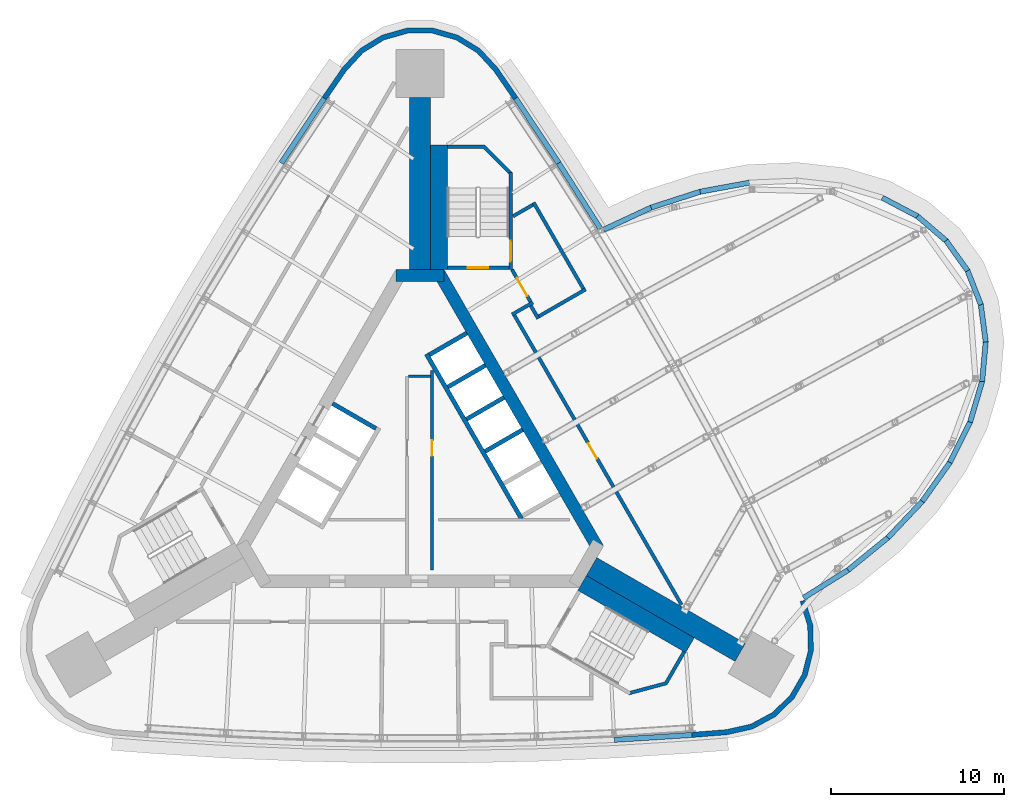
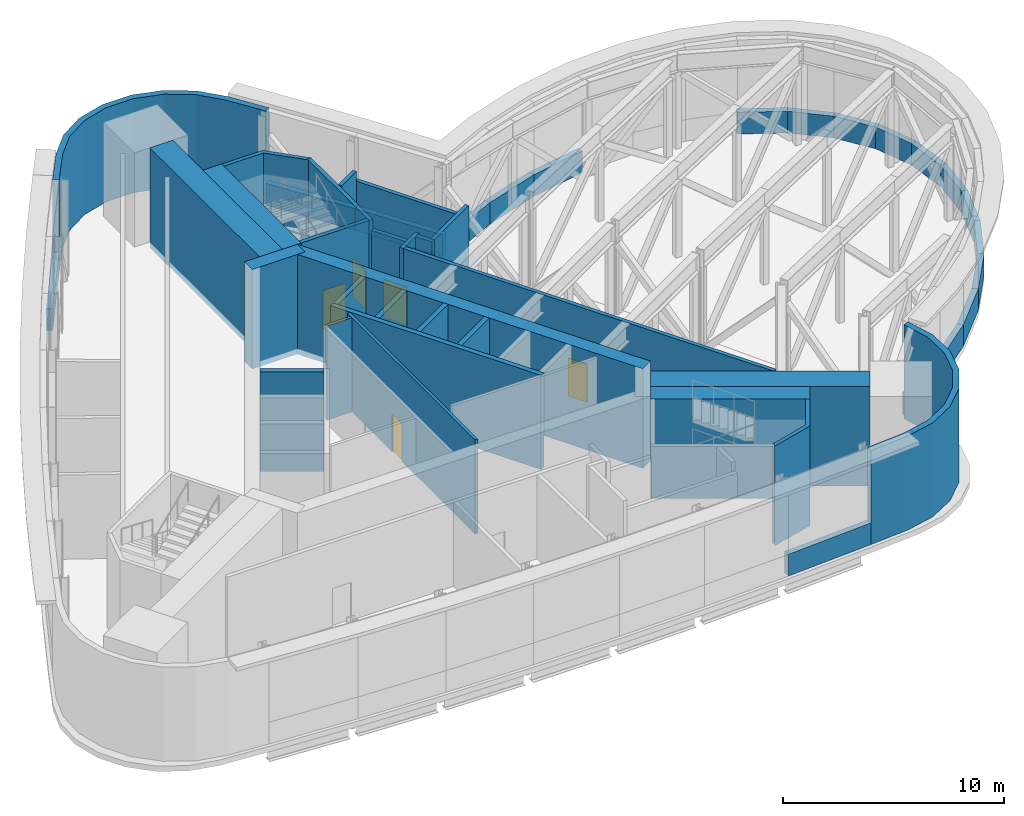
# One storey, part 8 of 11: 46 walls, 5 doors, 5 openings.
"""IFC4 building model written with IfcOpenShell, lengths in metres."""

from ifc_helpers import new_model, si_unit, direction, frame, frame_2d, origin, place, context, subcontext, project, spatial, polyline, rectangle, outline, extrude, material, layer, layer_set, type_object, element, fill, save


model = new_model("IFC4")

# Units and contexts
model_context = context("Model", 3, precision=1e-05, world=origin(), true_north=direction((0.0, 1.0)))
body_context = subcontext(model_context, "Body", "Model", "MODEL_VIEW")
ifc_project = project(units=[si_unit("LENGTHUNIT", "METRE"), si_unit("AREAUNIT", "SQUARE_METRE"), si_unit("VOLUMEUNIT", "CUBIC_METRE"), si_unit("PLANEANGLEUNIT", "RADIAN"), si_unit("MASSUNIT", "GRAM", prefix="KILO")], contexts=[model_context])

# Site, building, storey
site_placement = place(None, origin())
site = spatial("IfcSite", under=ifc_project, at=site_placement, CompositionType="ELEMENT")
building_placement = place(site_placement, origin())
building = spatial("IfcBuilding", under=site, at=building_placement, Name="Noor Cloister Tower", CompositionType="ELEMENT")
storey_placement = place(building_placement, frame((0.0, 0.0, 168.89990234375)))
storey = spatial("IfcBuildingStorey", under=building, at=storey_placement, Name="L43", CompositionType="ELEMENT", Elevation=168.89990234375)

# Walls
ifc_material_1 = material(Name="Concrete C70/85", Category="concrete")
ifc_layer_1 = layer(ifc_material_1, 1.199951171875)
ifc_layer_set_1 = layer_set([ifc_layer_1], Name="Buttress wall 1200 C70/85")
wall_type_1 = type_object("IfcWallType", Name="Buttress wall 1200 C70/85", PredefinedType="SHEAR", material=ifc_layer_set_1)
wall_1_placement = place(storey_placement, frame((0.0, 11.456298828125, -0.2998046875), z_axis=(0.0, 0.0, 1.0), x_axis=(0.0, 1.0, 0.0)))
element("IfcWall", 1, at=wall_1_placement, inside=storey, type_object=wall_type_1, Name="Buttress wall N L43", PredefinedType="SHEAR", context=body_context, shape_type="SweptSolid", body=[
    extrude(rectangle(XDim=9.927734375, YDim=1.199951171875, at=frame_2d((4.9638671875, 0.0))), origin(), (0.0, 0.0, 1.0), 5.5),
])
wall_2_placement = place(storey_placement, frame((9.921630859375, -5.728271484375, -0.2998046875), z_axis=(0.0, 0.0, 1.0), x_axis=(0.866029553954, -0.499992811627, 0.0)))
element("IfcWall", 2, at=wall_2_placement, inside=storey, type_object=wall_type_1, Name="Buttress wall SE L43", PredefinedType="SHEAR", context=body_context, shape_type="SweptSolid", body=[
    extrude(rectangle(XDim=9.927490234375, YDim=1.199951171875, at=frame_2d((4.9638671875, 0.0))), origin(), (0.0, 0.0, 1.0), 5.5),
])
ifc_material_2 = material(Name="Concrete C30/37", Category="concrete")
ifc_layer_2 = layer(ifc_material_2, 0.14990234375)
ifc_layer_set_2 = layer_set([ifc_layer_2], Name="Core partition 150 C30/37")
wall_type_2 = type_object("IfcWallType", Name="Core partition 150 C30/37", PredefinedType="PARTITIONING", material=ifc_layer_set_2)
wall_3_placement = place(storey_placement, frame((-0.6787109375, 5.271728515625, 0.0), z_axis=(0.0, 0.0, 1.0), x_axis=(1.0, 0.0, 0.0)))
element("IfcWall", 3, at=wall_3_placement, inside=storey, type_object=wall_type_2, Name="Core room partition L43 3", PredefinedType="PARTITIONING", context=body_context, shape_type="SweptSolid", body=[
    extrude(rectangle(XDim=1.300048828125, YDim=0.14990234375, at=frame_2d((0.64990234375, 0.0))), origin(), (0.0, 0.0, 1.0), 5.2001953125),
])

# Wall, opening, door
wall_4_placement = place(storey_placement, frame((0.6962890625, -5.92822265625, 0.0), z_axis=(0.0, 0.0, 1.0), x_axis=(0.0, 1.0, 0.0)))
wall_4 = element("IfcWall", 4, at=wall_4_placement, inside=storey, type_object=wall_type_2, Name="Core room partition L43 4", PredefinedType="PARTITIONING", context=body_context, shape_type="SweptSolid", body=[
    extrude(rectangle(XDim=11.548583984375, YDim=0.14990234375, at=frame_2d((5.7744140625, 0.0))), origin(), (0.0, 0.0, 1.0), 5.2001953125),
])
opening_1_placement = place(wall_4_placement, frame((6.60009765625, 0.0, 0.0)))
opening_1 = element("IfcOpeningElement", 5, at=opening_1_placement, cuts=wall_4, Name="Opening L43-905", PredefinedType="OPENING", context=body_context, shape_type="SweptSolid", body=[
    extrude(rectangle(XDim=0.89990234375, YDim=2.10009765625, at=frame_2d((0.449951171875, 1.050048828125))), frame((0.0, 0.0849609375, 0.0), z_axis=(0.0, -1.0, 0.0), x_axis=(1.0, 0.0, 0.0)), (0.0, 0.0, 1.0), 0.169921875),
])
ifc_material_3 = material(Name="Steel", Category="steel")
door_type_1 = type_object("IfcDoorType", Name="Core door 900 x 2100 FD120", OperationType="SINGLE_SWING_LEFT", PredefinedType="DOOR", material=ifc_material_3)
door_1_placement = place(opening_1_placement, origin())
door_1 = element("IfcDoor", 6, at=door_1_placement, inside=storey, type_object=door_type_1, Name="Core door 5 L43", OperationType="SINGLE_SWING_LEFT", OverallHeight=2.10009765625, OverallWidth=0.89990234375, PredefinedType="DOOR", context=body_context, shape_type="SweptSolid", body=[
    extrude(rectangle(XDim=0.89990234375, YDim=2.10009765625, at=frame_2d((0.449951171875, 1.050048828125))), frame((0.0, 0.02490234375, 0.0), z_axis=(0.0, -1.0, 0.0), x_axis=(1.0, 0.0, 0.0)), (0.0, 0.0, 1.0), 0.050048828125),
])
fill(opening_1, door_1)

# Walls
ifc_material_4 = material(Name="Concrete C70/85", Category="concrete")
ifc_layer_3 = layer(ifc_material_4, 0.699951171875)
ifc_layer_set_3 = layer_set([ifc_layer_3], Name="Core wall 700 C70/85")
wall_type_3 = type_object("IfcWallType", Name="Core wall 700 C70/85", PredefinedType="SHEAR", material=ifc_layer_set_3)
wall_5_placement = place(storey_placement, frame((10.311279296875, -4.703125, -0.2998046875), z_axis=(0.0, 0.0, 1.0), x_axis=(-0.500001446645, 0.866024568562, 0.0)))
element("IfcWall", 7, at=wall_5_placement, inside=storey, type_object=wall_type_3, Name="Core wall L43 3", PredefinedType="SHEAR", context=body_context, shape_type="SweptSolid", body=[
    extrude(rectangle(XDim=18.45751953125, YDim=0.699951171875, at=frame_2d((9.228759765625, 0.0))), origin(), (0.0, 0.0, 1.0), 5.5),
])
wall_6_placement = place(storey_placement, frame((1.3857421875, 11.1064453125, -0.2998046875), z_axis=(0.0, 0.0, 1.0), x_axis=(-1.0, 0.0, 0.0)))
element("IfcWall", 8, at=wall_6_placement, inside=storey, type_object=wall_type_3, Name="Core wall L43 4", PredefinedType="SHEAR", context=body_context, shape_type="SweptSolid", body=[
    extrude(rectangle(XDim=2.771484375, YDim=0.699951171875, at=frame_2d((1.3857421875, 0.0))), origin(), (0.0, 0.0, 1.0), 5.5),
])
ifc_material_5 = material(Name="Limestone", Category="masonry")
ifc_layer_4 = layer(ifc_material_5, 0.300048828125)
ifc_layer_set_4 = layer_set([ifc_layer_4], Name="Limestone cladding 300")
wall_type_4 = type_object("IfcWallType", Name="Limestone cladding 300", PredefinedType="NOTDEFINED", material=ifc_layer_set_4)
wall_7_placement = place(storey_placement, origin())
element("IfcWall", 9, at=wall_7_placement, inside=storey, type_object=wall_type_4, Name="Limestone pier cladding L43 2.1", PredefinedType="NOTDEFINED", context=body_context, shape_type="SweptSolid", body=[
    extrude(outline(polyline([(15.735595703125, -15.611572265625), (17.76806640625, -15.450927734375), (19.234130859375, -15.120849609375), (20.55517578125, -14.405029296875), (21.632080078125, -13.35693359375), (22.38330078125, -12.055419921875), (22.752685546875, -10.598876953125), (22.712158203125, -9.096923828125), (22.264892578125, -7.662353515625), (21.978515625, -7.75146484375), (22.413330078125, -9.146484375), (22.45166015625, -10.5654296875), (22.102783203125, -11.94140625), (21.39306640625, -13.1708984375), (20.375732421875, -14.160888671875), (19.127685546875, -14.83740234375), (17.72314453125, -15.153564453125), (15.7119140625, -15.3125), (15.735595703125, -15.611572265625)])), origin(), (0.0, 0.0, 1.0), 5.2001953125),
])
wall_8_placement = place(storey_placement, origin())
element("IfcWall", 10, at=wall_8_placement, inside=storey, type_object=wall_type_4, Name="Limestone pier cladding L43 3.1", PredefinedType="NOTDEFINED", context=body_context, shape_type="SweptSolid", body=[
    extrude(outline(polyline([(5.65234375, 21.43310546875), (4.496826171875, 23.113037109375), (3.47802734375, 24.2177734375), (2.197509765625, 25.00390625), (0.751220703125, 25.412353515625), (-0.751220703125, 25.412353515625), (-2.197509765625, 25.00390625), (-3.47802734375, 24.2177734375), (-4.496826171875, 23.113037109375), (-5.65234375, 21.43310546875), (-5.405029296875, 21.26318359375), (-4.26171875, 22.925537109375), (-3.28564453125, 23.98388671875), (-2.075927734375, 24.7265625), (-0.709716796875, 25.1123046875), (0.709716796875, 25.1123046875), (2.075927734375, 24.7265625), (3.28564453125, 23.98388671875), (4.26171875, 22.925537109375), (5.405029296875, 21.26318359375), (5.65234375, 21.43310546875)])), origin(), (0.0, 0.0, 1.0), 5.2001953125),
])
ifc_material_6 = material(Name="Limestone", Category="masonry")
ifc_layer_5 = layer(ifc_material_6, 0.300048828125)
ifc_layer_set_5 = layer_set([ifc_layer_5], Name="Limestone panel wall 300")
wall_type_5 = type_object("IfcWallType", Name="Limestone panel wall 300", PredefinedType="NOTDEFINED", material=ifc_layer_set_5)
wall_9_placement = place(storey_placement, origin())
element("IfcWall", 11, at=wall_9_placement, inside=storey, type_object=wall_type_5, Name="Limestone panel wall L43 1.1", PredefinedType="NOTDEFINED", context=body_context, shape_type="SweptSolid", body=[
    extrude(outline(polyline([(-5.65234375, 21.43310546875), (-8.145263671875, 17.68701171875), (-7.8955078125, 17.520751953125), (-5.402587890625, 21.26708984375), (-5.65234375, 21.43310546875)])), origin(), (0.0, 0.0, 1.0), 1.2001953125),
])
wall_10_placement = place(storey_placement, origin())
element("IfcWall", 12, at=wall_10_placement, inside=storey, type_object=wall_type_5, Name="Limestone panel wall L43 2.7", PredefinedType="NOTDEFINED", context=body_context, shape_type="SweptSolid", body=[
    extrude(outline(polyline([(11.24462890625, -15.8974609375), (15.735595703125, -15.611572265625), (15.716552734375, -15.312255859375), (11.2255859375, -15.597900390625), (11.24462890625, -15.8974609375)])), origin(), (0.0, 0.0, 1.0), 1.2001953125),
])
wall_11_placement = place(storey_placement, origin())
element("IfcWall", 13, at=wall_11_placement, inside=storey, type_object=wall_type_5, Name="Limestone panel wall L43 3.1", PredefinedType="NOTDEFINED", context=body_context, shape_type="SweptSolid", body=[
    extrude(outline(polyline([(22.264892578125, -7.662353515625), (24.84619140625, -6.048095703125), (24.687255859375, -5.793701171875), (22.10595703125, -7.407958984375), (22.264892578125, -7.662353515625)])), origin(), (0.0, 0.0, 1.0), 1.2001953125),
])
wall_12_placement = place(storey_placement, origin())
element("IfcWall", 14, at=wall_12_placement, inside=storey, type_object=wall_type_5, Name="Limestone panel wall L43 3.2", PredefinedType="NOTDEFINED", context=body_context, shape_type="SweptSolid", body=[
    extrude(outline(polyline([(24.84619140625, -6.048095703125), (27.17138671875, -4.155517578125), (26.98193359375, -3.9228515625), (24.656982421875, -5.8154296875), (24.84619140625, -6.048095703125)])), origin(), (0.0, 0.0, 1.0), 1.2001953125),
])
wall_13_placement = place(storey_placement, origin())
element("IfcWall", 15, at=wall_13_placement, inside=storey, type_object=wall_type_5, Name="Limestone panel wall L43 3.3", PredefinedType="NOTDEFINED", context=body_context, shape_type="SweptSolid", body=[
    extrude(outline(polyline([(27.17138671875, -4.155517578125), (29.16943359375, -2.0419921875), (28.951416015625, -1.8359375), (26.953369140625, -3.94921875), (27.17138671875, -4.155517578125)])), origin(), (0.0, 0.0, 1.0), 1.2001953125),
])
wall_14_placement = place(storey_placement, origin())
element("IfcWall", 16, at=wall_14_placement, inside=storey, type_object=wall_type_5, Name="Limestone panel wall L43 3.4", PredefinedType="NOTDEFINED", context=body_context, shape_type="SweptSolid", body=[
    extrude(outline(polyline([(29.16943359375, -2.0419921875), (30.780029296875, 0.22802734375), (30.535400390625, 0.401611328125), (28.9248046875, -1.868408203125), (29.16943359375, -2.0419921875)])), origin(), (0.0, 0.0, 1.0), 1.2001953125),
])
wall_15_placement = place(storey_placement, origin())
element("IfcWall", 17, at=wall_15_placement, inside=storey, type_object=wall_type_5, Name="Limestone panel wall L43 3.5", PredefinedType="NOTDEFINED", context=body_context, shape_type="SweptSolid", body=[
    extrude(outline(polyline([(30.780029296875, 0.22802734375), (31.953857421875, 2.5859375), (31.685302734375, 2.7197265625), (30.511474609375, 0.36181640625), (30.780029296875, 0.22802734375)])), origin(), (0.0, 0.0, 1.0), 1.2001953125),
])
wall_16_placement = place(storey_placement, origin())
element("IfcWall", 18, at=wall_16_placement, inside=storey, type_object=wall_type_5, Name="Limestone panel wall L43 3.6", PredefinedType="NOTDEFINED", context=body_context, shape_type="SweptSolid", body=[
    extrude(outline(polyline([(31.953857421875, 2.5859375), (32.65576171875, 4.959716796875), (32.367919921875, 5.044677734375), (31.666259765625, 2.6708984375), (31.953857421875, 2.5859375)])), origin(), (0.0, 0.0, 1.0), 1.2001953125),
])
wall_17_placement = place(storey_placement, origin())
element("IfcWall", 19, at=wall_17_placement, inside=storey, type_object=wall_type_5, Name="Limestone panel wall L43 3.7", PredefinedType="NOTDEFINED", context=body_context, shape_type="SweptSolid", body=[
    extrude(outline(polyline([(32.65576171875, 4.959716796875), (32.86376953125, 7.27734375), (32.56494140625, 7.30419921875), (32.35693359375, 4.986572265625), (32.65576171875, 4.959716796875)])), origin(), (0.0, 0.0, 1.0), 1.2001953125),
])
wall_18_placement = place(storey_placement, origin())
element("IfcWall", 20, at=wall_18_placement, inside=storey, type_object=wall_type_5, Name="Limestone panel wall L43 3.8", PredefinedType="NOTDEFINED", context=body_context, shape_type="SweptSolid", body=[
    extrude(outline(polyline([(32.86376953125, 7.27734375), (32.572021484375, 9.468505859375), (32.274658203125, 9.428955078125), (32.56640625, 7.23779296875), (32.86376953125, 7.27734375)])), origin(), (0.0, 0.0, 1.0), 1.2001953125),
])
wall_19_placement = place(storey_placement, origin())
element("IfcWall", 21, at=wall_19_placement, inside=storey, type_object=wall_type_5, Name="Limestone panel wall L43 3.9", PredefinedType="NOTDEFINED", context=body_context, shape_type="SweptSolid", body=[
    extrude(outline(polyline([(32.572021484375, 9.468505859375), (31.7890625, 11.466552734375), (31.509765625, 11.357177734375), (32.292724609375, 9.359130859375), (32.572021484375, 9.468505859375)])), origin(), (0.0, 0.0, 1.0), 1.2001953125),
])
wall_20_placement = place(storey_placement, origin())
element("IfcWall", 22, at=wall_20_placement, inside=storey, type_object=wall_type_5, Name="Limestone panel wall L43 3.10", PredefinedType="NOTDEFINED", context=body_context, shape_type="SweptSolid", body=[
    extrude(outline(polyline([(31.7890625, 11.466552734375), (30.5390625, 13.210693359375), (30.295166015625, 13.0361328125), (31.54541015625, 11.291748046875), (31.7890625, 11.466552734375)])), origin(), (0.0, 0.0, 1.0), 1.2001953125),
])
wall_21_placement = place(storey_placement, origin())
element("IfcWall", 23, at=wall_21_placement, inside=storey, type_object=wall_type_5, Name="Limestone panel wall L43 3.11", PredefinedType="NOTDEFINED", context=body_context, shape_type="SweptSolid", body=[
    extrude(outline(polyline([(30.5390625, 13.210693359375), (28.85986328125, 14.648193359375), (28.664794921875, 14.42041015625), (30.343994140625, 12.98291015625), (30.5390625, 13.210693359375)])), origin(), (0.0, 0.0, 1.0), 1.2001953125),
])
wall_22_placement = place(storey_placement, origin())
element("IfcWall", 24, at=wall_22_placement, inside=storey, type_object=wall_type_5, Name="Limestone panel wall L43 3.12", PredefinedType="NOTDEFINED", context=body_context, shape_type="SweptSolid", body=[
    extrude(outline(polyline([(28.85986328125, 14.648193359375), (26.80224609375, 15.735107421875), (26.662109375, 15.469970703125), (28.7197265625, 14.383056640625), (28.85986328125, 14.648193359375)])), origin(), (0.0, 0.0, 1.0), 1.2001953125),
])
wall_23_placement = place(storey_placement, origin())
element("IfcWall", 25, at=wall_23_placement, inside=storey, type_object=wall_type_5, Name="Limestone panel wall L43 3.16", PredefinedType="NOTDEFINED", context=body_context, shape_type="SweptSolid", body=[
    extrude(outline(polyline([(19.03125, 16.62158203125), (16.170654296875, 16.095947265625), (16.224853515625, 15.80078125), (19.08544921875, 16.32666015625), (19.03125, 16.62158203125)])), origin(), (0.0, 0.0, 1.0), 1.2001953125),
])
wall_24_placement = place(storey_placement, origin())
element("IfcWall", 26, at=wall_24_placement, inside=storey, type_object=wall_type_5, Name="Limestone panel wall L43 3.17", PredefinedType="NOTDEFINED", context=body_context, shape_type="SweptSolid", body=[
    extrude(outline(polyline([(16.170654296875, 16.095947265625), (13.3173828125, 15.175537109375), (13.409423828125, 14.889892578125), (16.2626953125, 15.810302734375), (16.170654296875, 16.095947265625)])), origin(), (0.0, 0.0, 1.0), 1.2001953125),
])
wall_25_placement = place(storey_placement, origin())
element("IfcWall", 27, at=wall_25_placement, inside=storey, type_object=wall_type_5, Name="Limestone panel wall L43 3.18", PredefinedType="NOTDEFINED", context=body_context, shape_type="SweptSolid", body=[
    extrude(outline(polyline([(13.3173828125, 15.175537109375), (10.55810546875, 13.888671875), (10.68505859375, 13.61669921875), (13.444091796875, 14.903564453125), (13.3173828125, 15.175537109375)])), origin(), (0.0, 0.0, 1.0), 1.2001953125),
])
wall_26_placement = place(storey_placement, origin())
element("IfcWall", 28, at=wall_26_placement, inside=storey, type_object=wall_type_5, Name="Limestone panel wall L43 4.1", PredefinedType="NOTDEFINED", context=body_context, shape_type="SweptSolid", body=[
    extrude(outline(polyline([(10.55810546875, 13.888671875), (8.145263671875, 17.68701171875), (7.891845703125, 17.526123046875), (10.304931640625, 13.727783203125), (10.55810546875, 13.888671875)])), origin(), (0.0, 0.0, 1.0), 1.2001953125),
])
wall_27_placement = place(storey_placement, origin())
element("IfcWall", 29, at=wall_27_placement, inside=storey, type_object=wall_type_5, Name="Limestone panel wall L43 4.2", PredefinedType="NOTDEFINED", context=body_context, shape_type="SweptSolid", body=[
    extrude(outline(polyline([(8.145263671875, 17.68701171875), (5.65234375, 21.43310546875), (5.402587890625, 21.26708984375), (7.8955078125, 17.520751953125), (8.145263671875, 17.68701171875)])), origin(), (0.0, 0.0, 1.0), 1.2001953125),
])
ifc_material_7 = material(Name="Concrete C70/85", Category="concrete")
ifc_layer_6 = layer(ifc_material_7, 0.25)
ifc_layer_set_6 = layer_set([ifc_layer_6], Name="Shaft wall 250 C70/85")
wall_type_6 = type_object("IfcWallType", Name="Shaft wall 250 C70/85", PredefinedType="PARTITIONING", material=ifc_layer_set_6)
wall_28_placement = place(storey_placement, frame((5.931396484375, 2.18310546875, -0.2998046875), z_axis=(0.0, 0.0, 1.0), x_axis=(-0.866047370643, -0.499961950354, 0.0)))
element("IfcWall", 30, at=wall_28_placement, inside=storey, type_object=wall_type_6, Name="Lift shaft wall L43 NE 3", PredefinedType="PARTITIONING", context=body_context, shape_type="SweptSolid", body=[
    extrude(rectangle(XDim=2.500244140625, YDim=0.25, at=frame_2d((1.25, 0.0))), origin(), (0.0, 0.0, 1.0), 5.5),
])
for number, where, z_axis, x_axis, name in (
    (31, (4.856201171875, 4.045166015625, -0.2998046875), (0.0, 0.0, 1.0), (-0.866022959057, -0.500004234368, 0.0), "Lift shaft wall L43 NE 4"),
    (32, (3.78125, 5.906982421875, -0.2998046875), (0.0, 0.0, 1.0), (-0.866022959057, -0.500004234368, 0.0), "Lift shaft wall L43 NE 5"),
    (33, (2.706298828125, 7.76904296875, -0.2998046875), (0.0, 0.0, 1.0), (-0.866022959057, -0.500004234368, 0.0), "Lift shaft wall L43 NE 6"),
):
    element("IfcWall", number, at=place(storey_placement, frame(where, z_axis=z_axis, x_axis=x_axis)), inside=storey, type_object=wall_type_6, Name=name, PredefinedType="PARTITIONING", context=body_context, shape_type="SweptSolid", body=[
        extrude(rectangle(XDim=2.5, YDim=0.25, at=frame_2d((1.25, 0.0))), origin(), (0.0, 0.0, 1.0), 5.5),
    ])
wall_29_placement = place(storey_placement, frame((5.870361328125, -2.96142578125, 0.0), z_axis=(0.0, 0.0, 1.0), x_axis=(-0.50000615651, 0.866021849293, 0.0)))
element("IfcWall", 34, at=wall_29_placement, inside=storey, type_object=wall_type_6, Name="Lift shaft back wall L43 NE", PredefinedType="PARTITIONING", context=body_context, shape_type="SweptSolid", body=[
    extrude(rectangle(XDim=10.999755859375, YDim=0.25, at=frame_2d((5.5, 0.0))), origin(), (0.0, 0.0, 1.0), 5.2001953125),
])
wall_30_placement = place(storey_placement, frame((-5.056396484375, 3.69873046875, -0.2998046875), z_axis=(0.0, 0.0, 1.0), x_axis=(0.866032775405, -0.499987231761, 0.0)))
element("IfcWall", 35, at=wall_30_placement, inside=storey, type_object=wall_type_6, Name="Lift shaft wall L43 NW 3", PredefinedType="PARTITIONING", context=body_context, shape_type="SweptSolid", body=[
    extrude(rectangle(XDim=2.89990234375, YDim=0.25, at=frame_2d((1.449951171875, 0.0))), origin(), (0.0, 0.0, 1.0), 5.5),
])

# Wall, opening, door
ifc_material_8 = material(Name="Concrete C70/85", Category="concrete")
ifc_layer_7 = layer(ifc_material_8, 0.199951171875)
ifc_layer_set_7 = layer_set([ifc_layer_7], Name="Stair enclosure wall 200 C70/85")
wall_type_7 = type_object("IfcWallType", Name="Stair enclosure wall 200 C70/85", PredefinedType="SHEAR", material=ifc_layer_set_7)
wall_31_placement = place(storey_placement, frame((5.135498046875, 11.556396484375, -0.2998046875), z_axis=(0.0, 0.0, 1.0), x_axis=(-1.0, 0.0, 0.0)))
wall_31 = element("IfcWall", 36, at=wall_31_placement, inside=storey, type_object=wall_type_7, Name="Stair enclosure wall ST1 L43 near end", PredefinedType="SHEAR", context=body_context, shape_type="SweptSolid", body=[
    extrude(rectangle(XDim=3.5498046875, YDim=0.199951171875, at=frame_2d((1.77490234375, 0.0))), origin(), (0.0, 0.0, 1.0), 5.5),
])
opening_2_placement = place(wall_31_placement, frame((1.175048828125, 0.0, 0.300048828125)))
opening_2 = element("IfcOpeningElement", 37, at=opening_2_placement, cuts=wall_31, Name="Opening L43-ST1L", PredefinedType="OPENING", context=body_context, shape_type="SweptSolid", body=[
    extrude(rectangle(XDim=1.199951171875, YDim=2.10009765625, at=frame_2d((0.60009765625, 1.050048828125))), frame((0.0, 0.10986328125, 0.0), z_axis=(0.0, -1.0, 0.0), x_axis=(1.0, 0.0, 0.0)), (0.0, 0.0, 1.0), 0.219970703125),
])
ifc_material_9 = material(Name="Steel", Category="steel")
door_type_2 = type_object("IfcDoorType", Name="Stair door 1200 x 2100 FD120", OperationType="SINGLE_SWING_LEFT", PredefinedType="DOOR", material=ifc_material_9)
door_2_placement = place(opening_2_placement, origin())
door_2 = element("IfcDoor", 38, at=door_2_placement, inside=storey, type_object=door_type_2, Name="Stair door ST1 L43", OperationType="SINGLE_SWING_RIGHT", OverallHeight=2.10009765625, OverallWidth=1.199951171875, PredefinedType="DOOR", context=body_context, shape_type="SweptSolid", body=[
    extrude(rectangle(XDim=1.199951171875, YDim=2.10009765625, at=frame_2d((0.60009765625, 1.050048828125))), frame((0.0, 0.02490234375, 0.0), z_axis=(0.0, -1.0, 0.0), x_axis=(1.0, 0.0, 0.0)), (0.0, 0.0, 1.0), 0.050048828125),
])
fill(opening_2, door_2)

wall_32_placement = place(storey_placement, frame((5.235595703125, 11.456298828125, -0.2998046875), z_axis=(0.0, 0.0, 1.0), x_axis=(0.0, 1.0, 0.0)))
wall_32 = element("IfcWall", 39, at=wall_32_placement, inside=storey, type_object=wall_type_7, Name="Stair enclosure wall ST1 L43 outer side", PredefinedType="SHEAR", context=body_context, shape_type="SweptSolid", body=[
    extrude(rectangle(XDim=5.60009765625, YDim=0.199951171875, at=frame_2d((2.800048828125, 0.0))), origin(), (0.0, 0.0, 1.0), 5.5),
])
opening_3_placement = place(wall_32_placement, frame((0.449951171875, 0.0, 0.300048828125)))
opening_3 = element("IfcOpeningElement", 40, at=opening_3_placement, cuts=wall_32, Name="Opening L43-ST1C", PredefinedType="OPENING", context=body_context, shape_type="SweptSolid", body=[
    extrude(rectangle(XDim=1.199951171875, YDim=2.10009765625, at=frame_2d((0.60009765625, 1.050048828125))), frame((0.0, 0.10986328125, 0.0), z_axis=(0.0, -1.0, 0.0), x_axis=(1.0, 0.0, 0.0)), (0.0, 0.0, 1.0), 0.219970703125),
])
door_3_placement = place(opening_3_placement, origin())
door_3 = element("IfcDoor", 41, at=door_3_placement, inside=storey, type_object=door_type_2, Name="Stair door ST1 L43", OperationType="SINGLE_SWING_LEFT", OverallHeight=2.10009765625, OverallWidth=1.199951171875, PredefinedType="DOOR", context=body_context, shape_type="SweptSolid", body=[
    extrude(rectangle(XDim=1.199951171875, YDim=2.10009765625, at=frame_2d((0.60009765625, 1.050048828125))), frame((0.0, 0.02490234375, 0.0), z_axis=(0.0, -1.0, 0.0), x_axis=(1.0, 0.0, 0.0)), (0.0, 0.0, 1.0), 0.050048828125),
])
fill(opening_3, door_3)

# Walls
ifc_material_10 = material(Name="Concrete C70/85", Category="concrete")
ifc_layer_8 = layer(ifc_material_10, 0.986083984375)
ifc_layer_set_8 = layer_set([ifc_layer_8], Name="Stair enclosure wall 986 C70/85")
wall_type_8 = type_object("IfcWallType", Name="Stair enclosure wall 986 C70/85", PredefinedType="SHEAR", material=ifc_layer_set_8)
for number, where, z_axis, x_axis, name in (
    (42, (1.0927734375, 11.456298828125, -0.2998046875), (0.0, 0.0, 1.0), (0.0, 1.0, 0.0), "Stair enclosure wall ST1 L43 riser side"),
    (43, (9.375, -6.674560546875, -0.2998046875), (0.0, 0.0, 1.0), (0.866026919366, -0.499997374926, 0.0), "Stair enclosure wall ST3 L43 riser side"),
):
    element("IfcWall", number, at=place(storey_placement, frame(where, z_axis=z_axis, x_axis=x_axis)), inside=storey, type_object=wall_type_8, Name=name, PredefinedType="SHEAR", context=body_context, shape_type="SweptSolid", body=[
        extrude(rectangle(XDim=7.2001953125, YDim=0.985595703125, at=frame_2d((3.60009765625, 0.0))), origin(), (0.0, 0.0, 1.0), 5.5),
    ])
ifc_material_11 = material(Name="Concrete C70/85", Category="concrete")
wall_type_9 = type_object("IfcWallType", Name="Stair far end wall C70/85", PredefinedType="SHEAR", material=ifc_material_11)
wall_33_placement = place(storey_placement, frame((0.0, 0.0, -0.2998046875)))
element("IfcWall", 44, at=wall_33_placement, inside=storey, type_object=wall_type_9, Name="Stair enclosure wall ST1 L43 far end", PredefinedType="SHEAR", context=body_context, shape_type="SweptSolid", body=[
    extrude(outline(polyline([(5.335693359375, 17.056396484375), (3.735595703125, 18.656494140625), (1.585693359375, 18.656494140625), (1.585693359375, 18.456298828125), (3.65283203125, 18.456298828125), (5.135498046875, 16.9736328125), (5.135498046875, 17.056396484375), (5.135498046875, 17.056396484375), (5.135498046875, 17.056396484375), (5.135498046875, 17.056396484375), (5.135498046875, 17.056396484375), (5.135498046875, 17.056396484375), (5.135498046875, 17.056396484375), (5.135498046875, 17.056396484375), (5.135498046875, 17.056396484375), (5.135498046875, 17.056396484375), (5.135498046875, 17.056396484375), (5.135498046875, 17.056396484375), (5.135498046875, 17.056396484375), (5.135498046875, 17.056396484375), (5.135498046875, 17.056396484375), (5.135498046875, 17.056396484375), (5.135498046875, 17.056396484375), (5.335693359375, 17.056396484375)])), origin(), (0.0, 0.0, 1.0), 5.5),
])
wall_34_placement = place(storey_placement, frame((0.0, 0.0, -0.2998046875)))
element("IfcWall", 45, at=wall_34_placement, inside=storey, type_object=wall_type_9, Name="Stair enclosure wall ST3 L43 far end", PredefinedType="SHEAR", context=body_context, shape_type="SweptSolid", body=[
    extrude(outline(polyline([(12.103515625, -13.14892578125), (14.2890625, -12.5634765625), (15.364013671875, -10.701416015625), (15.19091796875, -10.601318359375), (14.1572265625, -12.3916015625), (12.131591796875, -12.934326171875), (12.20361328125, -12.975830078125), (12.20361328125, -12.975830078125), (12.20361328125, -12.975830078125), (12.20361328125, -12.975830078125), (12.20361328125, -12.975830078125), (12.20361328125, -12.975830078125), (12.20361328125, -12.975830078125), (12.20361328125, -12.975830078125), (12.20361328125, -12.975830078125), (12.20361328125, -12.975830078125), (12.20361328125, -12.975830078125), (12.20361328125, -12.975830078125), (12.20361328125, -12.975830078125), (12.20361328125, -12.975830078125), (12.20361328125, -12.975830078125), (12.20361328125, -12.975830078125), (12.20361328125, -12.975830078125), (12.103515625, -13.14892578125)])), origin(), (0.0, 0.0, 1.0), 5.5),
])
ifc_material_12 = material(Name="Concrete block wall, 200 mm", Category="concrete")
ifc_layer_9 = layer(ifc_material_12, 0.199951171875)
ifc_layer_set_9 = layer_set([ifc_layer_9], Name="Upper floor plant room wall 200")
wall_type_10 = type_object("IfcWallType", Name="Upper floor plant room wall 200", PredefinedType="PARTITIONING", material=ifc_layer_set_9)
wall_35_placement = place(storey_placement, frame((6.407958984375, 9.357666015625, 0.0), z_axis=(0.0, 0.0, 1.0), x_axis=(0.49996696679, -0.866044474677, 0.0)))
element("IfcWall", 46, at=wall_35_placement, inside=storey, type_object=wall_type_10, Name="Upper floor plant room wall 200 L43 015", PredefinedType="PARTITIONING", context=body_context, shape_type="SweptSolid", body=[
    extrude(rectangle(XDim=0.8642578125, YDim=0.199951171875, at=frame_2d((0.43212890625, 0.0))), origin(), (0.0, 0.0, 1.0), 5.2001953125),
])
wall_36_placement = place(storey_placement, frame((5.3203125, 8.84521484375, 0.0), z_axis=(0.0, 0.0, 1.0), x_axis=(0.866031452229, 0.49998952364, 0.0)))
element("IfcWall", 47, at=wall_36_placement, inside=storey, type_object=wall_type_10, Name="Upper floor plant room wall 200 L43 016", PredefinedType="PARTITIONING", context=body_context, shape_type="SweptSolid", body=[
    extrude(rectangle(XDim=1.39794921875, YDim=0.199951171875, at=frame_2d((0.698974609375, 0.0))), origin(), (0.0, 0.0, 1.0), 5.2001953125),
])

# Wall, opening, door
wall_37_placement = place(storey_placement, frame((6.39453125, 9.580810546875, 0.0), z_axis=(0.0, 0.0, 1.0), x_axis=(-0.500003735859, 0.866023246874, 0.0)))
wall_37 = element("IfcWall", 48, at=wall_37_placement, inside=storey, type_object=wall_type_10, Name="Upper floor plant room wall 200 L43 017", PredefinedType="PARTITIONING", context=body_context, shape_type="SweptSolid", body=[
    extrude(rectangle(XDim=2.15380859375, YDim=0.199951171875, at=frame_2d((1.076904296875, 0.0))), origin(), (0.0, 0.0, 1.0), 4.647216796875),
])
opening_4_placement = place(wall_37_placement, frame((0.383056640625, 0.0, 0.0)))
opening_4 = element("IfcOpeningElement", 49, at=opening_4_placement, cuts=wall_37, Name="Opening L43-011", PredefinedType="OPENING", context=body_context, shape_type="SweptSolid", body=[
    extrude(rectangle(XDim=1.199951171875, YDim=2.10009765625, at=frame_2d((0.60009765625, 1.050048828125))), frame((0.0, 0.10986328125, 0.0), z_axis=(0.0, -1.0, 0.0), x_axis=(1.0, 0.0, 0.0)), (0.0, 0.0, 1.0), 0.219970703125),
])
ifc_material_13 = material(Name="Timber door leaf with steel frame", Category="steel")
door_type_3 = type_object("IfcDoorType", Name="Protected lobby door 1200", OperationType="NOTDEFINED", PredefinedType="DOOR", material=ifc_material_13)
door_4_placement = place(opening_4_placement, origin())
door_4 = element("IfcDoor", 50, at=door_4_placement, inside=storey, type_object=door_type_3, Name="Protected lobby door 1200 L43-011", OperationType="SINGLE_SWING_LEFT", OverallHeight=2.10009765625, OverallWidth=1.199951171875, PredefinedType="DOOR", context=body_context, shape_type="SweptSolid", body=[
    extrude(rectangle(XDim=1.199951171875, YDim=2.10009765625, at=frame_2d((0.60009765625, 1.050048828125))), frame((0.0, 0.02490234375, 0.0), z_axis=(0.0, -1.0, 0.0), x_axis=(1.0, 0.0, 0.0)), (0.0, 0.0, 1.0), 0.050048828125),
])
fill(opening_4, door_4)

wall_38_placement = place(storey_placement, frame((5.455322265625, 8.8076171875, 0.0), z_axis=(0.0, 0.0, 1.0), x_axis=(0.49999276215, -0.866029582519, 0.0)))
wall_38 = element("IfcWall", 51, at=wall_38_placement, inside=storey, type_object=wall_type_10, Name="Upper floor plant room wall 200 L43 018", PredefinedType="PARTITIONING", context=body_context, shape_type="SweptSolid", body=[
    extrude(rectangle(XDim=19.337158203125, YDim=0.199951171875, at=frame_2d((9.66845703125, 0.0))), origin(), (0.0, 0.0, 1.0), 5.2001953125),
])
opening_5_placement = place(wall_38_placement, frame((8.5556640625, 0.0, 0.0)))
opening_5 = element("IfcOpeningElement", 52, at=opening_5_placement, cuts=wall_38, Name="Opening L43-010", PredefinedType="OPENING", context=body_context, shape_type="SweptSolid", body=[
    extrude(rectangle(XDim=1.0, YDim=2.10009765625, at=frame_2d((0.5, 1.050048828125))), frame((0.0, 0.10986328125, 0.0), z_axis=(0.0, -1.0, 0.0), x_axis=(1.0, 0.0, 0.0)), (0.0, 0.0, 1.0), 0.219970703125),
])
ifc_material_14 = material(Name="Timber door leaf with steel frame", Category="steel")
door_type_4 = type_object("IfcDoorType", Name="Plant room door 1000", OperationType="NOTDEFINED", PredefinedType="DOOR", material=ifc_material_14)
door_5_placement = place(opening_5_placement, origin())
door_5 = element("IfcDoor", 53, at=door_5_placement, inside=storey, type_object=door_type_4, Name="Plant room door 1000 L43-010", OperationType="SINGLE_SWING_LEFT", OverallHeight=2.10009765625, OverallWidth=1.0, PredefinedType="DOOR", context=body_context, shape_type="SweptSolid", body=[
    extrude(rectangle(XDim=1.0, YDim=2.10009765625, at=frame_2d((0.5, 1.050048828125))), frame((0.0, 0.02490234375, 0.0), z_axis=(0.0, -1.0, 0.0), x_axis=(1.0, 0.0, 0.0)), (0.0, 0.0, 1.0), 0.050048828125),
])
fill(opening_5, door_5)

# Walls
wall_39_placement = place(storey_placement, frame((6.877685546875, 8.743896484375, 0.0), z_axis=(0.0, 0.0, 1.0), x_axis=(0.866023983177, 0.500002460556, 0.0)))
element("IfcWall", 54, at=wall_39_placement, inside=storey, type_object=wall_type_10, Name="Upper floor plant room wall 200 L43 019", PredefinedType="PARTITIONING", context=body_context, shape_type="SweptSolid", body=[
    extrude(rectangle(XDim=3.11962890625, YDim=0.199951171875, at=frame_2d((1.559814453125, 0.0))), origin(), (0.0, 0.0, 1.0), 5.2001953125),
])
wall_40_placement = place(storey_placement, frame((6.566162109375, 15.326904296875, 0.0), z_axis=(0.0, 0.0, 1.0), x_axis=(0.499997778408, -0.866026686418, 0.0)))
element("IfcWall", 55, at=wall_40_placement, inside=storey, type_object=wall_type_10, Name="Upper floor plant room wall 200 L43 020", PredefinedType="PARTITIONING", context=body_context, shape_type="SweptSolid", body=[
    extrude(rectangle(XDim=5.7568359375, YDim=0.199951171875, at=frame_2d((2.87841796875, 0.0))), origin(), (0.0, 0.0, 1.0), 4.647216796875),
])
wall_41_placement = place(storey_placement, frame((6.528564453125, 15.19189453125, 0.0), z_axis=(0.0, 0.0, 1.0), x_axis=(-0.866117824122, -0.499839889103, 0.0)))
element("IfcWall", 56, at=wall_41_placement, inside=storey, type_object=wall_type_10, Name="Upper floor plant room wall 200 L43 021", PredefinedType="PARTITIONING", context=body_context, shape_type="SweptSolid", body=[
    extrude(rectangle(XDim=1.31982421875, YDim=0.199951171875, at=frame_2d((0.659912109375, 0.0))), origin(), (0.0, 0.0, 1.0), 5.2001953125),
])

save(model, "model.ifc")
